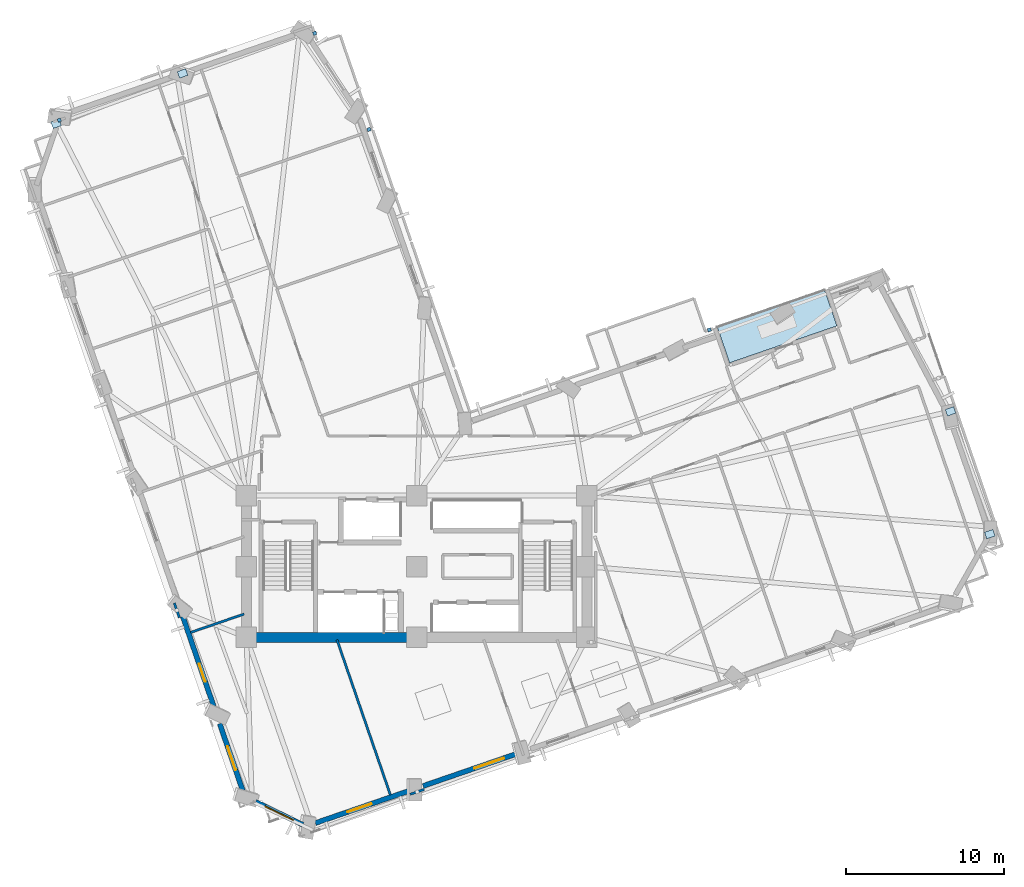
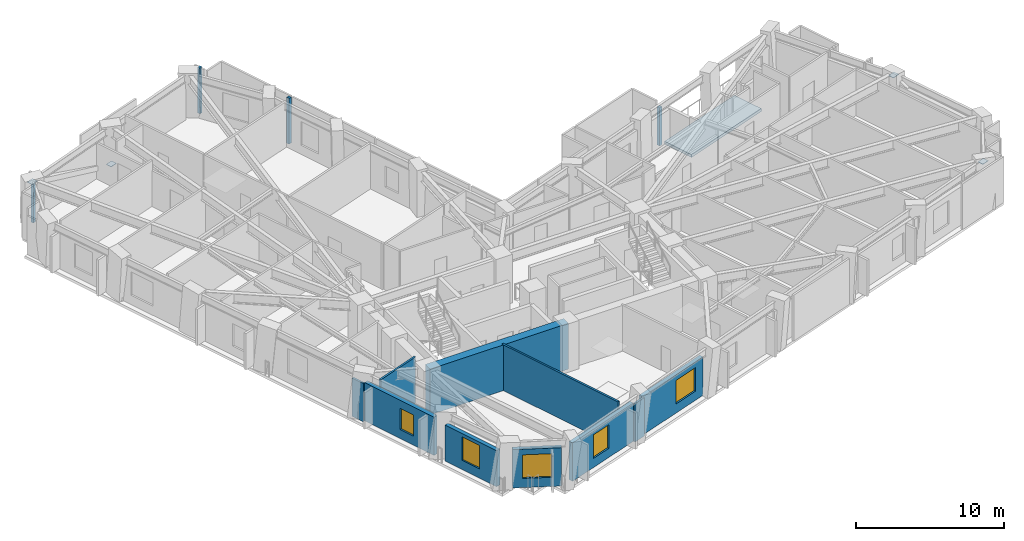
# One storey, part 6 of 15: 10 walls, 8 plates, 5 windows, 1 slab, 5 openings.
"""IFC4 building model written with IfcOpenShell, lengths in metres."""

from ifc_helpers import new_model, si_unit, direction, frame, frame_2d, origin, origin_2d, place, context, subcontext, project, spatial, polyline, rectangle, outline, extrude, material, layer, layer_set, type_object, element, fill, save


model = new_model("IFC4")

# Units and contexts
model_context = context("Model", 3, precision=1e-05, world=origin(), true_north=direction((0.0, 1.0)))
body_context = subcontext(model_context, "Body", "Model", "MODEL_VIEW")
ifc_project = project(units=[si_unit("LENGTHUNIT", "METRE"), si_unit("AREAUNIT", "SQUARE_METRE"), si_unit("VOLUMEUNIT", "CUBIC_METRE"), si_unit("PLANEANGLEUNIT", "RADIAN"), si_unit("MASSUNIT", "GRAM", prefix="KILO")], contexts=[model_context])

# Site, building, storey
site_placement = place(None, origin())
site = spatial("IfcSite", under=ifc_project, at=site_placement, CompositionType="ELEMENT")
building_placement = place(site_placement, origin())
building = spatial("IfcBuilding", under=site, at=building_placement, Name="Gaonmaruhae Medical Tower", CompositionType="ELEMENT")
storey_placement = place(building_placement, frame((0.0, 0.0, 104.39990234375)))
storey = spatial("IfcBuildingStorey", under=building, at=storey_placement, Name="L24", CompositionType="ELEMENT", Elevation=104.39990234375)

# Plates
ifc_material_1 = material(Name="Steel HSA650 (650 MPa)", Category="steel")
ifc_layer_1 = layer(ifc_material_1, 0.028076171875)
ifc_layer_set_1 = layer_set([ifc_layer_1], Name="Steel HSA650 (650 MPa)")
plate_type_1 = type_object("IfcPlateType", Name="GP-02 Tube Brace End Cap Gusset Plate", PredefinedType="USERDEFINED", material=ifc_layer_set_1)
for number, where, z_axis, x_axis, name in (
    (1, (61.153076171875, 14.35107421875, 0.23583984375), (0.0, 0.0, 1.0), (0.945518575599, 0.325568154457, 0.0), "L24 Gusset Cap Plate PLT-L24-PBR-E01A"),
    (2, (58.6611328125, 22.141357421875, 3.51611328125), (0.0, 0.0, 1.0), (0.93999073182, 0.341199976689, 0.0), "L24 Gusset Cap Plate PLT-L24-PBR-E01B"),
    (3, (9.94970703125, 43.572998046875, 0.23583984375), (0.0, 0.0, 1.0), (0.945518575599, 0.325568154457, 0.0), "L24 Gusset Cap Plate PLT-L24-PBR-N02A"),
    (4, (1.93359375, 40.38037109375, 3.51611328125), (0.0, 0.0, 1.0), (0.93999073182, 0.341199976689, 0.0), "L24 Gusset Cap Plate PLT-L24-PBR-N02B"),
):
    element("IfcPlate", number, at=place(storey_placement, frame(where, z_axis=z_axis, x_axis=x_axis)), inside=storey, type_object=plate_type_1, Name=name, ObjectType="GUSSET_PLATE", PredefinedType="USERDEFINED", context=body_context, shape_type="SweptSolid", body=[
        extrude(rectangle(XDim=0.56005859375, YDim=0.43994140625, at=origin_2d()), origin(), (0.0, 0.0, 1.0), 0.028076171875),
    ])
ifc_material_2 = material(Name="Anodised aluminium 6063-T6", Category="aluminium")
ifc_layer_2 = layer(ifc_material_2, 0.011962890625)
ifc_layer_set_2 = layer_set([ifc_layer_2], Name="Anodised aluminium 6063-T6")
plate_type_2 = type_object("IfcPlateType", Name="PP-01 Interior Partition Corner Stiffener Plate", PredefinedType="SHEET", material=ifc_layer_set_2)
plate_1_placement = place(storey_placement, frame((2.132568359375, 40.616943359375, 0.0), z_axis=(0.0, 0.0, 1.0), x_axis=(0.945478792889, 0.325683668913, 0.0)))
element("IfcPlate", 5, at=plate_1_placement, inside=storey, type_object=plate_type_2, Name="L24 Partition Corner Stiffener Plate PLT-L24-JGP-PW055", PredefinedType="SHEET", context=body_context, shape_type="SweptSolid", body=[
    extrude(rectangle(XDim=0.219970703125, YDim=0.219970703125, at=origin_2d()), origin(), (0.0, 0.0, 1.0), 3.1650390625),
])
plate_2_placement = place(storey_placement, frame((43.362548828125, 27.3154296875, 0.0), z_axis=(0.0, 0.0, 1.0), x_axis=(0.946028810164, 0.324082536309, 0.0)))
element("IfcPlate", 6, at=plate_2_placement, inside=storey, type_object=plate_type_2, Name="L24 Partition Corner Stiffener Plate PLT-L24-JGP-PW077", PredefinedType="SHEET", context=body_context, shape_type="SweptSolid", body=[
    extrude(rectangle(XDim=0.219970703125, YDim=0.219970703125, at=origin_2d()), origin(), (0.0, 0.0, 1.0), 3.14501953125),
])
for number, where, z_axis, x_axis, name in (
    (7, (21.76904296875, 40.017578125, 0.0), (0.0, 0.0, 1.0), (-0.945632162717, -0.325238086383, 0.0), "L24 Partition Corner Stiffener Plate PLT-L24-JGP-PW101"),
    (8, (18.325927734375, 46.12158203125, 0.0), (0.0, 0.0, 1.0), (0.325716672151, -0.945467423809, 0.0), "L24 Partition Corner Stiffener Plate PLT-L24-JGP-PW104"),
):
    element("IfcPlate", number, at=place(storey_placement, frame(where, z_axis=z_axis, x_axis=x_axis)), inside=storey, type_object=plate_type_2, Name=name, PredefinedType="SHEET", context=body_context, shape_type="SweptSolid", body=[
        extrude(rectangle(XDim=0.219970703125, YDim=0.219970703125, at=origin_2d()), origin(), (0.0, 0.0, 1.0), 3.780029296875),
    ])

# Slab
ifc_material_3 = material(Name="Concrete C40/50", Category="concrete")
ifc_layer_3 = layer(ifc_material_3, 0.239990234375)
ifc_layer_set_3 = layer_set([ifc_layer_3], Name="Concrete C40/50")
slab_type = type_object("IfcSlabType", Name="TS-240 Sky Garden & Recovery Terrace Slab", PredefinedType="FLOOR", material=ifc_layer_set_3)
slab_placement = place(storey_placement, frame((0.0, 0.0, -0.239990234375)))
element("IfcSlab", 9, at=slab_placement, inside=storey, type_object=slab_type, Name="L24 Outdoor Recovery Terrace Slab", PredefinedType="FLOOR", context=body_context, shape_type="SweptSolid", body=[
    extrude(outline(polyline([(44.648193359375, 25.2197265625), (51.4560546875, 27.56396484375), (50.674560546875, 29.833251953125), (43.866943359375, 27.489013671875), (44.648193359375, 25.2197265625)])), origin(), (0.0, 0.0, 1.0), 0.239990234375),
])

# Wall
ifc_material_4 = material(Name="Concrete C60/75", Category="concrete")
ifc_layer_4 = layer(ifc_material_4, 0.64990234375)
ifc_layer_set_4 = layer_set([ifc_layer_4], Name="Concrete C60/75")
wall_type_1 = type_object("IfcWallType", Name="CW-650 Zone 2 Core Shear Wall", PredefinedType="SHEAR", material=ifc_layer_set_4)
wall_1_placement = place(storey_placement, frame((14.0, 7.800048828125, 0.0), z_axis=(0.0, 0.0, 1.0), x_axis=(1.0, 0.0, 0.0)))
element("IfcWall", 10, at=wall_1_placement, inside=storey, type_object=wall_type_1, Name="L24 Core Shear Wall CSW-S1", PredefinedType="SHEAR", context=body_context, shape_type="SweptSolid", body=[
    extrude(rectangle(XDim=10.800048828125, YDim=0.64990234375, at=frame_2d((5.39990234375, 0.0))), origin(), (0.0, 0.0, 1.0), 3.780029296875),
])

# Wall, opening, window
ifc_material_5 = material(Name="Precast concrete C45/55", Category="concrete")
ifc_layer_5 = layer(ifc_material_5, 0.320068359375)
ifc_layer_set_5 = layer_set([ifc_layer_5], Name="Precast concrete C45/55")
wall_type_2 = type_object("IfcWallType", Name="EW-320 Lower Precast Masonry-Frame Facade Wall", PredefinedType="SOLIDWALL", material=ifc_layer_set_5)
wall_2_placement = place(storey_placement, frame((24.306640625, -1.931884765625, 0.0), z_axis=(0.0, 0.0, 1.0), x_axis=(-0.945506146194, -0.325604249834, 0.0)))
wall_2 = element("IfcWall", 11, at=wall_2_placement, inside=storey, type_object=wall_type_2, Name="L24 Precast Masonry-Frame Wall S01-S02", PredefinedType="SOLIDWALL", context=body_context, shape_type="SweptSolid", body=[
    extrude(rectangle(XDim=6.269775390625, YDim=0.320068359375, at=frame_2d((3.134765625, 0.0))), origin(), (0.0, 0.0, 1.0), 3.1650390625),
])
opening_1_placement = place(wall_2_placement, frame((2.514892578125, 0.0, 0.75)))
opening_1 = element("IfcOpeningElement", 12, at=opening_1_placement, cuts=wall_2, Name="Opening WN-01", PredefinedType="OPENING", context=body_context, shape_type="SweptSolid", body=[
    extrude(rectangle(XDim=1.60009765625, YDim=1.949951171875, at=frame_2d((0.800048828125, 0.97509765625))), frame((0.0, 0.169921875, 0.0), z_axis=(0.0, -1.0, 0.0), x_axis=(1.0, 0.0, 0.0)), (0.0, 0.0, 1.0), 0.340087890625),
])
ifc_material_6 = material(Name="Anodised aluminium and Low-E double glazing", Category="aluminium")
window_type_1 = type_object("IfcWindowType", Name="WN-01 Ward Punched Acoustic Window 1600x1950", PartitioningType="SINGLE_PANEL", PredefinedType="WINDOW", material=ifc_material_6)
window_1_placement = place(opening_1_placement, origin())
window_1 = element("IfcWindow", 13, at=window_1_placement, inside=storey, type_object=window_type_1, Name="L24 Modular Facade Window S01", OverallHeight=1.949951171875, OverallWidth=1.60009765625, PartitioningType="SINGLE_PANEL", PredefinedType="WINDOW", context=body_context, shape_type="SweptSolid", body=[
    extrude(rectangle(XDim=1.60009765625, YDim=1.949951171875, at=frame_2d((0.800048828125, 0.97509765625))), frame((0.0, 0.030029296875, 0.0), z_axis=(0.0, -1.0, 0.0), x_axis=(1.0, 0.0, 0.0)), (0.0, 0.0, 1.0), 0.06005859375),
])
fill(opening_1, window_1)

wall_3_placement = place(storey_placement, frame((31.100830078125, 0.407470703125, 0.0), z_axis=(0.0, 0.0, 1.0), x_axis=(-0.945511895629, -0.325587553854, 0.0)))
wall_3 = element("IfcWall", 14, at=wall_3_placement, inside=storey, type_object=wall_type_2, Name="L24 Precast Masonry-Frame Wall S02-S03", PredefinedType="SOLIDWALL", context=body_context, shape_type="SweptSolid", body=[
    extrude(rectangle(XDim=6.234130859375, YDim=0.320068359375, at=frame_2d((3.1171875, 0.0))), origin(), (0.0, 0.0, 1.0), 3.1650390625),
])
opening_2_placement = place(wall_3_placement, frame((0.806884765625, 0.0, 0.75)))
opening_2 = element("IfcOpeningElement", 15, at=opening_2_placement, cuts=wall_3, Name="Opening WN-02", PredefinedType="OPENING", context=body_context, shape_type="SweptSolid", body=[
    extrude(rectangle(XDim=2.0, YDim=1.949951171875, at=frame_2d((1.0, 0.97509765625))), frame((0.0, 0.169921875, 0.0), z_axis=(0.0, -1.0, 0.0), x_axis=(1.0, 0.0, 0.0)), (0.0, 0.0, 1.0), 0.340087890625),
])
window_type_2 = type_object("IfcWindowType", Name="WN-02 Double-Bed Ward Punched Window 2000x1950", PartitioningType="SINGLE_PANEL", PredefinedType="WINDOW", material=ifc_material_6)
window_2_placement = place(opening_2_placement, origin())
window_2 = element("IfcWindow", 16, at=window_2_placement, inside=storey, type_object=window_type_2, Name="L24 Modular Facade Window S02", OverallHeight=1.949951171875, OverallWidth=2.0, PartitioningType="SINGLE_PANEL", PredefinedType="WINDOW", context=body_context, shape_type="SweptSolid", body=[
    extrude(rectangle(XDim=2.0, YDim=1.949951171875, at=frame_2d((1.0, 0.97509765625))), frame((0.0, 0.030029296875, 0.0), z_axis=(0.0, -1.0, 0.0), x_axis=(1.0, 0.0, 0.0)), (0.0, 0.0, 1.0), 0.06005859375),
])
fill(opening_2, window_2)

wall_4_placement = place(storey_placement, frame((11.98974609375, 3.246337890625, 0.0), z_axis=(0.0, 0.0, 1.0), x_axis=(-0.325556635095, 0.945522541955, 0.0)))
wall_4 = element("IfcWall", 17, at=wall_4_placement, inside=storey, type_object=wall_type_2, Name="L24 Precast Masonry-Frame Wall W05-W06", PredefinedType="SOLIDWALL", context=body_context, shape_type="SweptSolid", body=[
    extrude(rectangle(XDim=6.2236328125, YDim=0.320068359375, at=frame_2d((3.11181640625, 0.0))), origin(), (0.0, 0.0, 1.0), 3.1650390625),
])
opening_3_placement = place(wall_4_placement, frame((1.85009765625, 0.0, 0.75)))
opening_3 = element("IfcOpeningElement", 18, at=opening_3_placement, cuts=wall_4, Name="Opening WN-05", PredefinedType="OPENING", context=body_context, shape_type="SweptSolid", body=[
    extrude(rectangle(XDim=1.199951171875, YDim=1.75, at=frame_2d((0.60009765625, 0.875))), frame((0.0, 0.169921875, 0.0), z_axis=(0.0, -1.0, 0.0), x_axis=(1.0, 0.0, 0.0)), (0.0, 0.0, 1.0), 0.340087890625),
])
window_type_3 = type_object("IfcWindowType", Name="WN-05 Support & Staff Punched Window 1200x1750", PartitioningType="SINGLE_PANEL", PredefinedType="WINDOW", material=ifc_material_6)
window_3_placement = place(opening_3_placement, origin())
window_3 = element("IfcWindow", 19, at=window_3_placement, inside=storey, type_object=window_type_3, Name="L24 Modular Facade Window W05", OverallHeight=1.75, OverallWidth=1.199951171875, PartitioningType="SINGLE_PANEL", PredefinedType="WINDOW", context=body_context, shape_type="SweptSolid", body=[
    extrude(rectangle(XDim=1.199951171875, YDim=1.75, at=frame_2d((0.60009765625, 0.875))), frame((0.0, 0.030029296875, 0.0), z_axis=(0.0, -1.0, 0.0), x_axis=(1.0, 0.0, 0.0)), (0.0, 0.0, 1.0), 0.06005859375),
])
fill(opening_3, window_3)

wall_5_placement = place(storey_placement, frame((13.8173828125, -2.060791015625, 0.0), z_axis=(0.0, 0.0, 1.0), x_axis=(-0.325605332943, 0.945505773202, 0.0)))
wall_5 = element("IfcWall", 20, at=wall_5_placement, inside=storey, type_object=wall_type_2, Name="L24 Precast Masonry-Frame Wall W06-W07", PredefinedType="SOLIDWALL", context=body_context, shape_type="SweptSolid", body=[
    extrude(rectangle(XDim=4.647216796875, YDim=0.320068359375, at=frame_2d((2.32373046875, 0.0))), origin(), (0.0, 0.0, 1.0), 2.965087890625),
])
opening_4_placement = place(wall_5_placement, frame((1.527099609375, 0.0, 0.75)))
opening_4 = element("IfcOpeningElement", 21, at=opening_4_placement, cuts=wall_5, Name="Opening WN-01", PredefinedType="OPENING", context=body_context, shape_type="SweptSolid", body=[
    extrude(rectangle(XDim=1.60009765625, YDim=1.949951171875, at=frame_2d((0.800048828125, 0.97509765625))), frame((0.0, 0.169921875, 0.0), z_axis=(0.0, -1.0, 0.0), x_axis=(1.0, 0.0, 0.0)), (0.0, 0.0, 1.0), 0.340087890625),
])
window_4_placement = place(opening_4_placement, origin())
window_4 = element("IfcWindow", 22, at=window_4_placement, inside=storey, type_object=window_type_1, Name="L24 Modular Facade Window W06", OverallHeight=1.949951171875, OverallWidth=1.60009765625, PartitioningType="SINGLE_PANEL", PredefinedType="WINDOW", context=body_context, shape_type="SweptSolid", body=[
    extrude(rectangle(XDim=1.60009765625, YDim=1.949951171875, at=frame_2d((0.800048828125, 0.97509765625))), frame((0.0, 0.030029296875, 0.0), z_axis=(0.0, -1.0, 0.0), x_axis=(1.0, 0.0, 0.0)), (0.0, 0.0, 1.0), 0.06005859375),
])
fill(opening_4, window_4)

wall_6_placement = place(storey_placement, frame((17.5732421875, -4.083984375, 0.0), z_axis=(0.0, 0.0, 1.0), x_axis=(-0.898806573837, 0.438345460599, 0.0)))
wall_6 = element("IfcWall", 23, at=wall_6_placement, inside=storey, type_object=wall_type_2, Name="L24 Precast Masonry-Frame Wall W07-S01", PredefinedType="SOLIDWALL", context=body_context, shape_type="SweptSolid", body=[
    extrude(rectangle(XDim=3.32275390625, YDim=0.320068359375, at=frame_2d((1.661376953125, 0.0))), origin(), (0.0, 0.0, 1.0), 3.1650390625),
])
opening_5_placement = place(wall_6_placement, frame((0.660888671875, 0.0, 0.75)))
opening_5 = element("IfcOpeningElement", 24, at=opening_5_placement, cuts=wall_6, Name="Opening WN-02", PredefinedType="OPENING", context=body_context, shape_type="SweptSolid", body=[
    extrude(rectangle(XDim=2.0, YDim=1.949951171875, at=frame_2d((1.0, 0.97509765625))), frame((0.0, 0.169921875, 0.0), z_axis=(0.0, -1.0, 0.0), x_axis=(1.0, 0.0, 0.0)), (0.0, 0.0, 1.0), 0.340087890625),
])
window_5_placement = place(opening_5_placement, origin())
window_5 = element("IfcWindow", 25, at=window_5_placement, inside=storey, type_object=window_type_2, Name="L24 Modular Facade Window W07", OverallHeight=1.949951171875, OverallWidth=2.0, PartitioningType="SINGLE_PANEL", PredefinedType="WINDOW", context=body_context, shape_type="SweptSolid", body=[
    extrude(rectangle(XDim=2.0, YDim=1.949951171875, at=frame_2d((1.0, 0.97509765625))), frame((0.0, 0.030029296875, 0.0), z_axis=(0.0, -1.0, 0.0), x_axis=(1.0, 0.0, 0.0)), (0.0, 0.0, 1.0), 0.06005859375),
])
fill(opening_5, window_5)

# Walls
ifc_material_7 = material(Name="Gypsum board partition", Category="gypsum")
ifc_layer_6 = layer(ifc_material_7, 0.14990234375)
ifc_layer_set_6 = layer_set([ifc_layer_6], Name="Gypsum board partition")
wall_type_3 = type_object("IfcWallType", Name="PW-150 Rated Clinical Corridor Partition", PredefinedType="PARTITIONING", material=ifc_layer_set_6)
wall_7_placement = place(storey_placement, frame((19.743896484375, 7.64892578125, 0.0), z_axis=(0.0, 0.0, 1.0), x_axis=(0.325591658157, -0.9455104823, 0.0)))
element("IfcWall", 26, at=wall_7_placement, inside=storey, type_object=wall_type_3, Name="L24 Interior Partition L24-SUP02-6", PredefinedType="PARTITIONING", context=body_context, shape_type="SweptSolid", body=[
    extrude(rectangle(XDim=10.4091796875, YDim=0.14990234375, at=frame_2d((5.20458984375, 0.0))), origin(), (0.0, 0.0, 1.0), 3.780029296875),
])
wall_8_placement = place(storey_placement, frame((25.281005859375, -1.840087890625, 0.0), z_axis=(0.0, 0.0, 1.0), x_axis=(-0.945849184656, -0.324606407648, 0.0)))
element("IfcWall", 27, at=wall_8_placement, inside=storey, type_object=wall_type_3, Name="L24 Interior Partition L24-SUP03-7", PredefinedType="PARTITIONING", context=body_context, shape_type="SweptSolid", body=[
    extrude(rectangle(XDim=0.951416015625, YDim=0.14990234375, at=frame_2d((0.4755859375, 0.0))), origin(), (0.0, 0.0, 1.0), 3.1650390625),
])
wall_9_placement = place(storey_placement, frame((9.74609375, 9.055908203125, 0.0), z_axis=(0.0, 0.0, 1.0), x_axis=(-0.325342506217, 0.945596242404, 0.0)))
element("IfcWall", 28, at=wall_9_placement, inside=storey, type_object=wall_type_3, Name="L24 Interior Partition L24-WOF12-33", PredefinedType="PARTITIONING", context=body_context, shape_type="SweptSolid", body=[
    extrude(rectangle(XDim=0.98681640625, YDim=0.14990234375, at=frame_2d((0.493408203125, 0.0))), origin(), (0.0, 0.0, 1.0), 3.1650390625),
])
wall_10_placement = place(storey_placement, frame((13.84912109375, 9.283935546875, 0.0), z_axis=(0.0, 0.0, 1.0), x_axis=(-0.945549256794, -0.325479036156, 0.0)))
element("IfcWall", 29, at=wall_10_placement, inside=storey, type_object=wall_type_3, Name="L24 Interior Partition L24-WOF12-35", PredefinedType="PARTITIONING", context=body_context, shape_type="SweptSolid", body=[
    extrude(rectangle(XDim=3.58837890625, YDim=0.14990234375, at=frame_2d((1.794189453125, 0.0))), origin(), (0.0, 0.0, 1.0), 3.780029296875),
])

save(model, "model.ifc")
